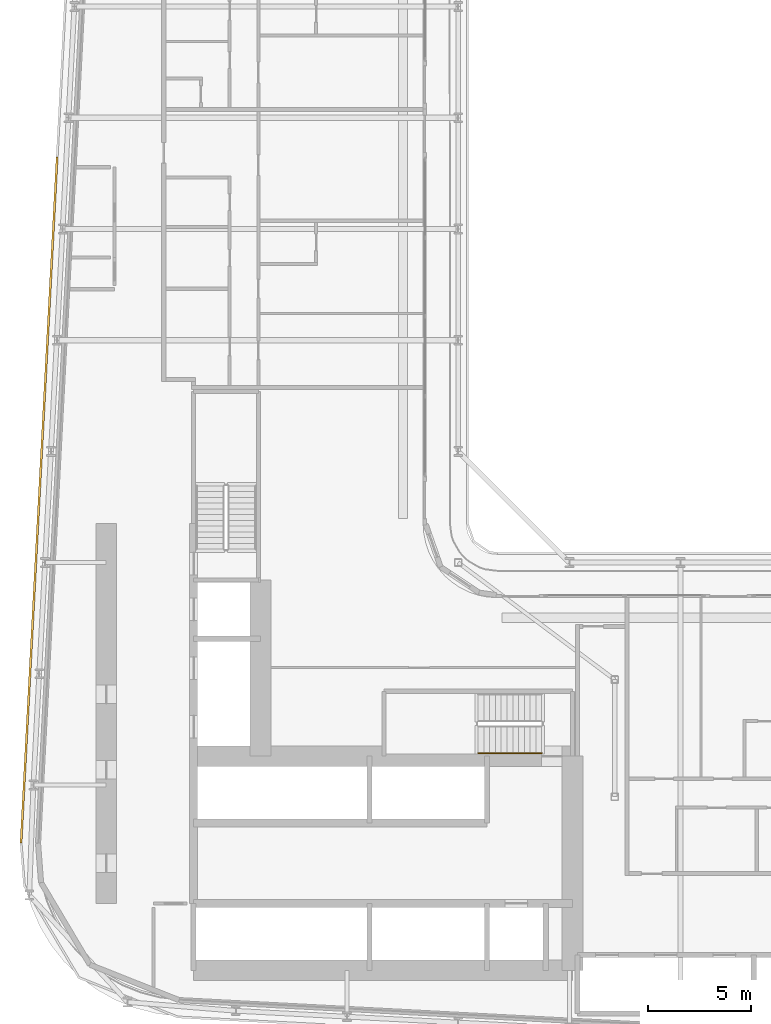
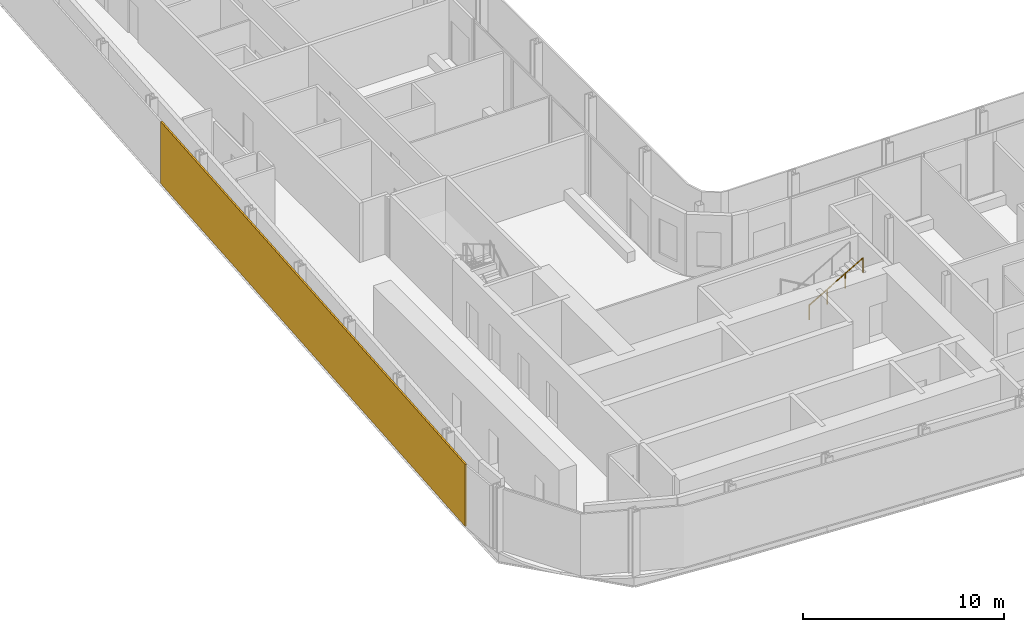
# One storey, part 21 of 27: 1 railing, 1 shading device.
"""IFC4 building model written with IfcOpenShell, lengths in metres."""

from ifc_helpers import new_model, si_unit, direction, frame, origin, origin_2d, place, context, subcontext, project, spatial, rectangle, circle, extrude, material, layer, layer_set, type_object, element, save


model = new_model("IFC4")

# Units and contexts
model_context = context("Model", 3, precision=1e-05, world=origin(), true_north=direction((0.0, 1.0)))
body_context = subcontext(model_context, "Body", "Model", "MODEL_VIEW")
ifc_project = project(units=[si_unit("LENGTHUNIT", "METRE"), si_unit("AREAUNIT", "SQUARE_METRE"), si_unit("VOLUMEUNIT", "CUBIC_METRE"), si_unit("PLANEANGLEUNIT", "RADIAN"), si_unit("MASSUNIT", "GRAM", prefix="KILO")], contexts=[model_context])

# Site, building, storey
site_placement = place(None, origin())
site = spatial("IfcSite", under=ifc_project, at=site_placement, CompositionType="ELEMENT")
building_placement = place(site_placement, origin())
building = spatial("IfcBuilding", under=site, at=building_placement, Name="Kheshtan School and Residences Tower", CompositionType="ELEMENT")
storey_placement = place(building_placement, frame((0.0, 0.0, 53.89990234375)))
storey = spatial("IfcBuildingStorey", under=building, at=storey_placement, Name="L12", CompositionType="ELEMENT", Elevation=53.89990234375)

# Shading device
ifc_material_1 = material(Name="Terracotta baguette, extruded ceramic", Category="masonry")
ifc_layer = layer(ifc_material_1, 0.10009765625)
ifc_layer_set = layer_set([ifc_layer], Name="Ledge screen, terracotta baguettes")
shading_device_type = type_object("IfcShadingDeviceType", Name="Ledge screen, terracotta baguettes", PredefinedType="USERDEFINED", material=ifc_layer_set)
shading_device_placement = place(storey_placement, frame((27.24609375, 48.638916015625, 0.0), z_axis=(0.0, 0.0, 1.0), x_axis=(0.052562536748, 0.998617634398, 0.0)))
element("IfcShadingDevice", 1, at=shading_device_placement, inside=storey, type_object=shading_device_type, Name="Screen L12 4", ObjectType="BAGUETTE", PredefinedType="USERDEFINED", context=body_context, shape_type="SweptSolid", body=[
    extrude(rectangle(XDim=33.341064453125, YDim=0.10009765625, at=origin_2d()), origin(), (0.0, 0.0, 1.0), 3.75),
])

# Railing
ifc_material_2 = material(Name="Stainless steel handrail", Category="steel")
railing_type = type_object("IfcRailingType", Name="Stair handrail 900", PredefinedType="HANDRAIL", material=ifc_material_2)
railing_placement = place(storey_placement, frame((48.570068359375, 36.35009765625, 2.112548828125)))
element("IfcRailing", 2, at=railing_placement, inside=storey, type_object=railing_type, Name="L12 ST1 stair handrail 2", PredefinedType="HANDRAIL", context=body_context, shape_type="SweptSolid", body=[
    extrude(circle(Radius=0.02392578125, at=origin_2d()), frame((0.0, 0.0, 0.8759765625), z_axis=(0.864873446163, 0.0, 0.501989962173), x_axis=(0.0, 1.0, 0.0)), (0.0, 0.0, 1.0), 3.56103515625),
    extrude(circle(Radius=0.02099609375, at=origin_2d()), origin(), (0.0, 0.0, 1.0), 0.851806640625),
    extrude(circle(Radius=0.02099609375, at=origin_2d()), frame((1.026611328125, 0.0, 0.595947265625)), (0.0, 0.0, 1.0), 0.851806640625),
    extrude(circle(Radius=0.02099609375, at=origin_2d()), frame((2.05322265625, 0.0, 1.191650390625)), (0.0, 0.0, 1.0), 0.851806640625),
    extrude(circle(Radius=0.02099609375, at=origin_2d()), frame((3.079833984375, 0.0, 1.78759765625)), (0.0, 0.0, 1.0), 0.851806640625),
])

save(model, "model.ifc")
